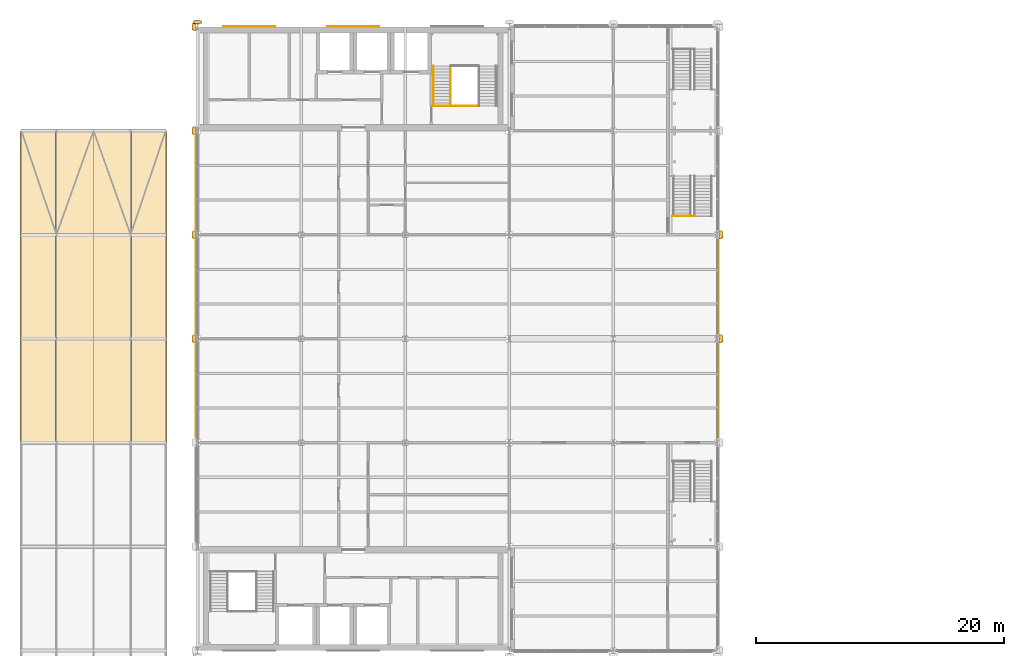
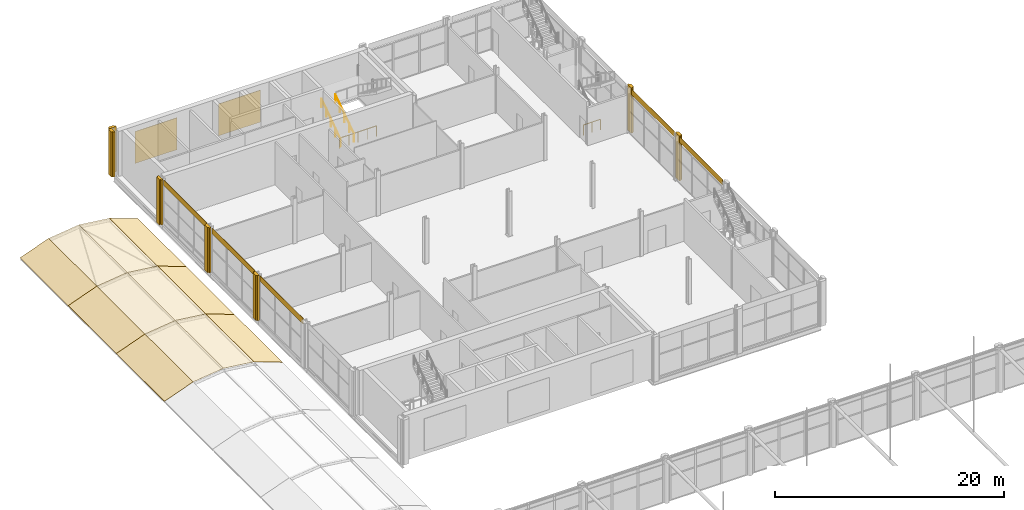
# One storey, part 166 of 167: 26 coverings, 4 railings.
"""IFC4 building model written with IfcOpenShell, lengths in metres."""

from ifc_helpers import new_model, si_unit, direction, frame, origin, origin_2d, place, context, subcontext, project, spatial, polyline, rectangle, circle, outline, extrude, material, layer, layer_set, type_object, element, save


model = new_model("IFC4")

# Units and contexts
model_context = context("Model", 3, precision=1e-05, world=origin(), true_north=direction((0.0, 1.0)))
body_context = subcontext(model_context, "Body", "Model", "MODEL_VIEW")
ifc_project = project(units=[si_unit("LENGTHUNIT", "METRE"), si_unit("AREAUNIT", "SQUARE_METRE"), si_unit("VOLUMEUNIT", "CUBIC_METRE"), si_unit("PLANEANGLEUNIT", "RADIAN"), si_unit("MASSUNIT", "GRAM", prefix="KILO")], contexts=[model_context])

# Site, building, storey
site_placement = place(None, origin())
site = spatial("IfcSite", under=ifc_project, at=site_placement, CompositionType="ELEMENT")
building_placement = place(site_placement, origin())
building = spatial("IfcBuilding", under=site, at=building_placement, Name="Catenary Quay Ferry Terminal", CompositionType="ELEMENT")
storey_placement = place(building_placement, frame((0.0, 0.0, 6.0)))
storey = spatial("IfcBuildingStorey", under=building, at=storey_placement, Name="L01", CompositionType="ELEMENT", Elevation=6.0)

# Coverings
ifc_material_1 = material(Name="Ceramic tile")
ifc_layer_1 = layer(ifc_material_1, 0.0400390625)
ifc_layer_set_1 = layer_set([ifc_layer_1], Name="CL2")
covering_type_1 = type_object("IfcCoveringType", Name="CL2", PredefinedType="CLADDING", material=ifc_layer_set_1)
covering_1_placement = place(storey_placement, origin())
element("IfcCovering", 1, at=covering_1_placement, inside=storey, type_object=covering_type_1, Name="Ceramic pier casing", PredefinedType="CLADDING", context=body_context, shape_type="SweptSolid", body=[
    extrude(outline(polyline([(25.050048828125, 201.949951171875), (24.8701171875, 201.949951171875), (24.8701171875, 201.85009765625), (24.75, 201.85009765625), (24.75, 201.35009765625), (24.8701171875, 201.35009765625), (24.8701171875, 201.25), (25.050048828125, 201.25), (25.050048828125, 201.949951171875)])), origin(), (0.0, 0.0, 1.0), 4.800048828125),
])
covering_2_placement = place(storey_placement, origin())
element("IfcCovering", 2, at=covering_2_placement, inside=storey, type_object=covering_type_1, Name="Ceramic pier casing", PredefinedType="CLADDING", context=body_context, shape_type="SweptSolid", body=[
    extrude(outline(polyline([(25.050048828125, 210.35009765625), (24.8701171875, 210.35009765625), (24.8701171875, 210.25), (24.75, 210.25), (24.75, 209.75), (24.8701171875, 209.75), (24.8701171875, 209.64990234375), (25.050048828125, 209.64990234375), (25.050048828125, 210.35009765625)])), origin(), (0.0, 0.0, 1.0), 4.800048828125),
])
covering_3_placement = place(storey_placement, origin())
element("IfcCovering", 3, at=covering_3_placement, inside=storey, type_object=covering_type_1, Name="Ceramic pier casing", PredefinedType="CLADDING", context=body_context, shape_type="SweptSolid", body=[
    extrude(outline(polyline([(25.550048828125, 210.25), (25.550048828125, 210.429931640625), (25.449951171875, 210.429931640625), (25.449951171875, 210.550048828125), (24.949951171875, 210.550048828125), (24.949951171875, 210.429931640625), (24.85009765625, 210.429931640625), (24.85009765625, 210.25), (25.550048828125, 210.25)])), origin(), (0.0, 0.0, 1.0), 4.800048828125),
])
covering_4_placement = place(storey_placement, origin())
element("IfcCovering", 4, at=covering_4_placement, inside=storey, type_object=covering_type_1, Name="Ceramic pier casing", PredefinedType="CLADDING", context=body_context, shape_type="SweptSolid", body=[
    extrude(outline(polyline([(25.050048828125, 185.14990234375), (24.8701171875, 185.14990234375), (24.8701171875, 185.050048828125), (24.75, 185.050048828125), (24.75, 184.550048828125), (24.8701171875, 184.550048828125), (24.8701171875, 184.449951171875), (25.050048828125, 184.449951171875), (25.050048828125, 185.14990234375)])), origin(), (0.0, 0.0, 1.0), 4.800048828125),
])
covering_5_placement = place(storey_placement, origin())
element("IfcCovering", 5, at=covering_5_placement, inside=storey, type_object=covering_type_1, Name="Ceramic pier casing", PredefinedType="CLADDING", context=body_context, shape_type="SweptSolid", body=[
    extrude(outline(polyline([(25.050048828125, 193.550048828125), (24.8701171875, 193.550048828125), (24.8701171875, 193.449951171875), (24.75, 193.449951171875), (24.75, 192.949951171875), (24.8701171875, 192.949951171875), (24.8701171875, 192.85009765625), (25.050048828125, 192.85009765625), (25.050048828125, 193.550048828125)])), origin(), (0.0, 0.0, 1.0), 4.800048828125),
])
covering_6_placement = place(storey_placement, origin())
element("IfcCovering", 6, at=covering_6_placement, inside=storey, type_object=covering_type_1, Name="Ceramic pier casing", PredefinedType="CLADDING", context=body_context, shape_type="SweptSolid", body=[
    extrude(outline(polyline([(67.35009765625, 184.449951171875), (67.530029296875, 184.449951171875), (67.530029296875, 184.550048828125), (67.64990234375, 184.550048828125), (67.64990234375, 185.050048828125), (67.530029296875, 185.050048828125), (67.530029296875, 185.14990234375), (67.35009765625, 185.14990234375), (67.35009765625, 184.449951171875)])), origin(), (0.0, 0.0, 1.0), 4.800048828125),
])
covering_7_placement = place(storey_placement, origin())
element("IfcCovering", 7, at=covering_7_placement, inside=storey, type_object=covering_type_1, Name="Ceramic pier casing", PredefinedType="CLADDING", context=body_context, shape_type="SweptSolid", body=[
    extrude(outline(polyline([(67.35009765625, 192.85009765625), (67.530029296875, 192.85009765625), (67.530029296875, 192.949951171875), (67.64990234375, 192.949951171875), (67.64990234375, 193.449951171875), (67.530029296875, 193.449951171875), (67.530029296875, 193.550048828125), (67.35009765625, 193.550048828125), (67.35009765625, 192.85009765625)])), origin(), (0.0, 0.0, 1.0), 4.800048828125),
])
ifc_material_2 = material(Name="Ceramic tile")
ifc_layer_2 = layer(ifc_material_2, 0.034912109375)
ifc_layer_set_2 = layer_set([ifc_layer_2], Name="CL5")
covering_type_2 = type_object("IfcCoveringType", Name="CL5", PredefinedType="CLADDING", material=ifc_layer_set_2)
for number, where, z_axis, x_axis, name in (
    (8, (29.39990234375, 210.017578125, 0.400146484375), (0.0, 0.0, 1.0), (1.0, 0.0, 0.0), "Core h210.0 cladding CV312"),
    (9, (37.800048828125, 210.017578125, 0.400146484375), (0.0, 0.0, 1.0), (1.0, 0.0, 0.0), "Core h210.0 cladding CV313"),
):
    element("IfcCovering", number, at=place(storey_placement, frame(where, z_axis=z_axis, x_axis=x_axis)), inside=storey, type_object=covering_type_2, Name=name, PredefinedType="CLADDING", context=body_context, shape_type="SweptSolid", body=[
        extrude(rectangle(XDim=4.199951171875, YDim=0.034912109375, at=origin_2d()), origin(), (0.0, 0.0, 1.0), 3.39990234375),
    ])
ifc_material_3 = material(Name="Glazed ceramic tile, ochre")
ifc_layer_3 = layer(ifc_material_3, 0.030029296875)
ifc_layer_set_3 = layer_set([ifc_layer_3], Name="CL6")
covering_type_3 = type_object("IfcCoveringType", Name="CL6", PredefinedType="CLADDING", material=ifc_layer_set_3)
for number, where, z_axis, x_axis, name in (
    (10, (67.3193359375, 180.60009765625, 4.199951171875), (0.0, 0.0, 1.0), (1.0, 0.0, 0.0), "Band wing v67.2 cladding CV308"),
    (11, (67.3193359375, 189.0, 4.199951171875), (0.0, 0.0, 1.0), (1.0, 0.0, 0.0), "Band wing v67.2 cladding CV309"),
    (12, (25.08056640625, 180.60009765625, 4.199951171875), (0.0, 0.0, 1.0), (1.0, 0.0, 0.0), "Band wing v25.2 cladding CV318"),
    (13, (25.08056640625, 189.0, 4.199951171875), (0.0, 0.0, 1.0), (1.0, 0.0, 0.0), "Band wing v25.2 cladding CV319"),
    (14, (25.08056640625, 197.39990234375, 4.199951171875), (0.0, 0.0, 1.0), (1.0, 0.0, 0.0), "Band wing v25.2 cladding CV320"),
):
    element("IfcCovering", number, at=place(storey_placement, frame(where, z_axis=z_axis, x_axis=x_axis)), inside=storey, type_object=covering_type_3, Name=name, PredefinedType="CLADDING", context=body_context, shape_type="SweptSolid", body=[
        extrude(rectangle(XDim=0.030029296875, YDim=7.5, at=origin_2d()), origin(), (0.0, 0.0, 1.0), 0.60009765625),
    ])

# Railings
ifc_material_4 = material(Name="Steel and glass", Category="steel")
railing_type_1 = type_object("IfcRailingType", Name="GI1", PredefinedType="GUARDRAIL", material=ifc_material_4)
railing_1_placement = place(storey_placement, frame((44.199951171875, 203.60009765625, 0.0)))
element("IfcRailing", 15, at=railing_1_placement, inside=storey, type_object=railing_type_1, Name="HS1 well guard GI69", PredefinedType="GUARDRAIL", context=body_context, shape_type="SweptSolid", body=[
    extrude(circle(Radius=0.02392578125, at=origin_2d()), frame((0.0, 0.0, 1.076171875), z_axis=(1.0, 0.0, 0.0), x_axis=(0.0, 1.0, 0.0)), (0.0, 0.0, 1.0), 3.699951171875),
    extrude(circle(Radius=0.02099609375, at=origin_2d()), origin(), (0.0, 0.0, 1.0), 1.052001953125),
    extrude(circle(Radius=0.02099609375, at=origin_2d()), frame((0.925048828125, 0.0, 0.0)), (0.0, 0.0, 1.0), 1.052001953125),
    extrude(circle(Radius=0.02099609375, at=origin_2d()), frame((1.85009765625, 0.0, 0.0)), (0.0, 0.0, 1.0), 1.052001953125),
    extrude(circle(Radius=0.02099609375, at=origin_2d()), frame((2.77490234375, 0.0, 0.0)), (0.0, 0.0, 1.0), 1.052001953125),
    extrude(circle(Radius=0.02099609375, at=origin_2d()), frame((3.699951171875, 0.0, 0.0)), (0.0, 0.0, 1.0), 1.052001953125),
])
railing_2_placement = place(storey_placement, frame((63.60009765625, 194.699951171875, 0.0)))
element("IfcRailing", 16, at=railing_2_placement, inside=storey, type_object=railing_type_1, Name="HS4 well guard GI214", PredefinedType="GUARDRAIL", context=body_context, shape_type="SweptSolid", body=[
    extrude(circle(Radius=0.02392578125, at=origin_2d()), frame((0.0, 0.0, 1.076171875), z_axis=(1.0, 0.0, 0.0), x_axis=(0.0, 1.0, 0.0)), (0.0, 0.0, 1.0), 1.699951171875),
    extrude(circle(Radius=0.02099609375, at=origin_2d()), origin(), (0.0, 0.0, 1.0), 1.052001953125),
    extrude(circle(Radius=0.02099609375, at=origin_2d()), frame((0.85009765625, 0.0, 0.0)), (0.0, 0.0, 1.0), 1.052001953125),
    extrude(circle(Radius=0.02099609375, at=origin_2d()), frame((1.699951171875, 0.0, 0.0)), (0.0, 0.0, 1.0), 1.052001953125),
])
ifc_material_5 = material(Name="Stainless steel", Category="steel")
railing_type_2 = type_object("IfcRailingType", Name="HR1", PredefinedType="HANDRAIL", material=ifc_material_5)
for number, where, name in (
    (17, (44.260009765625, 203.60009765625, 0.17138671875), "HS1 F1A handrail HR79"),
    (18, (45.639892578125, 203.60009765625, 0.17138671875), "HS1 F1B handrail HR80"),
):
    element("IfcRailing", number, at=place(storey_placement, frame(where)), inside=storey, type_object=railing_type_2, Name=name, PredefinedType="HANDRAIL", context=body_context, shape_type="SweptSolid", body=[
        extrude(circle(Radius=0.02392578125, at=origin_2d()), frame((0.0, 0.0, 0.8759765625), z_axis=(0.0, 0.824735456578, 0.565518723531), x_axis=(-1.0, 0.0, 0.0)), (0.0, 0.0, 1.0), 3.940673828125),
        extrude(circle(Radius=0.02099609375, at=origin_2d()), origin(), (0.0, 0.0, 1.0), 0.851806640625),
        extrude(circle(Radius=0.02099609375, at=origin_2d()), frame((0.0, 0.8125, 0.55712890625)), (0.0, 0.0, 1.0), 0.851806640625),
        extrude(circle(Radius=0.02099609375, at=origin_2d()), frame((0.0, 1.625, 1.1142578125)), (0.0, 0.0, 1.0), 0.851806640625),
        extrude(circle(Radius=0.02099609375, at=origin_2d()), frame((0.0, 2.4375, 1.67138671875)), (0.0, 0.0, 1.0), 0.851806640625),
        extrude(circle(Radius=0.02099609375, at=origin_2d()), frame((0.0, 3.25, 2.228515625)), (0.0, 0.0, 1.0), 0.851806640625),
    ])

# Coverings
ifc_material_6 = material(Name="Laminated glass", Category="glass")
ifc_layer_4 = layer(ifc_material_6, 0.030029296875)
ifc_layer_set_4 = layer_set([ifc_layer_4], Name="RF2")
covering_type_4 = type_object("IfcCoveringType", Name="RF2", PredefinedType="ROOFING", material=ifc_layer_set_4)
covering_8_placement = place(storey_placement, frame((10.858154296875, 176.39990234375, 1.2158203125), z_axis=(-0.346768604163, 0.0, 0.937950710414), x_axis=(0.0, 1.0, 0.0)))
element("IfcCovering", 19, at=covering_8_placement, inside=storey, type_object=covering_type_4, Name="Forecourt canopy roof", PredefinedType="ROOFING", context=body_context, shape_type="SweptSolid", body=[
    extrude(outline(polyline([(0.0, 0.0), (8.400146484375, 0.0), (8.400146484375, -3.0745635463365493), (0.0, -3.0745635463365493), (0.0, 0.0)])), origin(), (0.0, 0.0, -1.0), 0.031982421875),
])
covering_9_placement = place(storey_placement, frame((13.741943359375, 176.39990234375, 2.281982421875), z_axis=(-0.122181619395, 0.0, 0.992507759104), x_axis=(0.0, 1.0, 0.0)))
element("IfcCovering", 20, at=covering_9_placement, inside=storey, type_object=covering_type_4, Name="Forecourt canopy roof", PredefinedType="ROOFING", context=body_context, shape_type="SweptSolid", body=[
    extrude(outline(polyline([(0.0, 0.0), (8.400146484375, 0.0), (8.400146484375, -3.0811904901479834), (0.0, -3.0811904901479834), (0.0, 0.0)])), origin(), (0.0, 0.0, -1.0), 0.0302734375),
])
covering_10_placement = place(storey_placement, frame((16.800048828125, 176.39990234375, 2.658447265625), z_axis=(0.122191228771, 0.0, 0.992506576105), x_axis=(0.0, 1.0, 0.0)))
element("IfcCovering", 21, at=covering_10_placement, inside=storey, type_object=covering_type_4, Name="Forecourt canopy roof", PredefinedType="ROOFING", context=body_context, shape_type="SweptSolid", body=[
    extrude(outline(polyline([(0.0, 0.0), (8.400146484375, 0.0), (8.400146484375, -3.0809481788277613), (0.0, -3.0809481788277613), (0.0, 0.0)])), origin(), (0.0, 0.0, -1.0), 0.0302734375),
])
covering_11_placement = place(storey_placement, frame((19.85791015625, 176.39990234375, 2.281982421875), z_axis=(0.346768604163, 0.0, 0.937950710414), x_axis=(0.0, 1.0, 0.0)))
element("IfcCovering", 22, at=covering_11_placement, inside=storey, type_object=covering_type_4, Name="Forecourt canopy roof", PredefinedType="ROOFING", context=body_context, shape_type="SweptSolid", body=[
    extrude(outline(polyline([(0.0, 0.0), (8.400146484375, 0.0), (8.400146484375, -3.0745635463365493), (0.0, -3.0745635463365493), (0.0, 0.0)])), origin(), (0.0, 0.0, -1.0), 0.031982421875),
])
covering_12_placement = place(storey_placement, frame((10.858154296875, 184.800048828125, 1.2158203125), z_axis=(-0.346768604163, 0.0, 0.937950710414), x_axis=(0.0, 1.0, 0.0)))
element("IfcCovering", 23, at=covering_12_placement, inside=storey, type_object=covering_type_4, Name="Forecourt canopy roof", PredefinedType="ROOFING", context=body_context, shape_type="SweptSolid", body=[
    extrude(outline(polyline([(0.0, 0.0), (8.39990234375, 0.0), (8.39990234375, -3.0745635463365493), (0.0, -3.0745635463365493), (0.0, 0.0)])), origin(), (0.0, 0.0, -1.0), 0.031982421875),
])
covering_13_placement = place(storey_placement, frame((13.741943359375, 184.800048828125, 2.281982421875), z_axis=(-0.122181619395, 0.0, 0.992507759104), x_axis=(0.0, 1.0, 0.0)))
element("IfcCovering", 24, at=covering_13_placement, inside=storey, type_object=covering_type_4, Name="Forecourt canopy roof", PredefinedType="ROOFING", context=body_context, shape_type="SweptSolid", body=[
    extrude(outline(polyline([(0.0, 0.0), (8.39990234375, 0.0), (8.39990234375, -3.0811904901479834), (0.0, -3.0811904901479834), (0.0, 0.0)])), origin(), (0.0, 0.0, -1.0), 0.0302734375),
])
covering_14_placement = place(storey_placement, frame((16.800048828125, 184.800048828125, 2.658447265625), z_axis=(0.122191228771, 0.0, 0.992506576105), x_axis=(0.0, 1.0, 0.0)))
element("IfcCovering", 25, at=covering_14_placement, inside=storey, type_object=covering_type_4, Name="Forecourt canopy roof", PredefinedType="ROOFING", context=body_context, shape_type="SweptSolid", body=[
    extrude(outline(polyline([(0.0, 0.0), (8.39990234375, 0.0), (8.39990234375, -3.080948178827762), (0.0, -3.080948178827762), (0.0, 0.0)])), origin(), (0.0, 0.0, -1.0), 0.0302734375),
])
covering_15_placement = place(storey_placement, frame((19.85791015625, 184.800048828125, 2.281982421875), z_axis=(0.346768604163, 0.0, 0.937950710414), x_axis=(0.0, 1.0, 0.0)))
element("IfcCovering", 26, at=covering_15_placement, inside=storey, type_object=covering_type_4, Name="Forecourt canopy roof", PredefinedType="ROOFING", context=body_context, shape_type="SweptSolid", body=[
    extrude(outline(polyline([(0.0, 0.0), (8.39990234375, 0.0), (8.39990234375, -3.0745635463365493), (0.0, -3.0745635463365493), (0.0, 0.0)])), origin(), (0.0, 0.0, -1.0), 0.031982421875),
])
covering_16_placement = place(storey_placement, frame((10.858154296875, 193.199951171875, 1.2158203125), z_axis=(-0.346768604163, 0.0, 0.937950710414), x_axis=(0.0, 1.0, 0.0)))
element("IfcCovering", 27, at=covering_16_placement, inside=storey, type_object=covering_type_4, Name="Forecourt canopy roof", PredefinedType="ROOFING", context=body_context, shape_type="SweptSolid", body=[
    extrude(outline(polyline([(0.0, 0.0), (8.400146484375, 0.0), (8.400146484375, -3.0745635463365493), (0.0, -3.0745635463365493), (0.0, 0.0)])), origin(), (0.0, 0.0, -1.0), 0.031982421875),
])
covering_17_placement = place(storey_placement, frame((13.741943359375, 193.199951171875, 2.281982421875), z_axis=(-0.122181619395, 0.0, 0.992507759104), x_axis=(0.0, 1.0, 0.0)))
element("IfcCovering", 28, at=covering_17_placement, inside=storey, type_object=covering_type_4, Name="Forecourt canopy roof", PredefinedType="ROOFING", context=body_context, shape_type="SweptSolid", body=[
    extrude(outline(polyline([(0.0, 0.0), (8.400146484375, 0.0), (8.400146484375, -3.0811904901479834), (0.0, -3.0811904901479834), (0.0, 0.0)])), origin(), (0.0, 0.0, -1.0), 0.0302734375),
])
covering_18_placement = place(storey_placement, frame((16.800048828125, 193.199951171875, 2.658447265625), z_axis=(0.122191228771, 0.0, 0.992506576105), x_axis=(0.0, 1.0, 0.0)))
element("IfcCovering", 29, at=covering_18_placement, inside=storey, type_object=covering_type_4, Name="Forecourt canopy roof", PredefinedType="ROOFING", context=body_context, shape_type="SweptSolid", body=[
    extrude(outline(polyline([(0.0, 0.0), (8.400146484375, 0.0), (8.400146484375, -3.0809481788277613), (0.0, -3.0809481788277613), (0.0, 0.0)])), origin(), (0.0, 0.0, -1.0), 0.0302734375),
])
covering_19_placement = place(storey_placement, frame((19.85791015625, 193.199951171875, 2.281982421875), z_axis=(0.346768604163, 0.0, 0.937950710414), x_axis=(0.0, 1.0, 0.0)))
element("IfcCovering", 30, at=covering_19_placement, inside=storey, type_object=covering_type_4, Name="Forecourt canopy roof", PredefinedType="ROOFING", context=body_context, shape_type="SweptSolid", body=[
    extrude(outline(polyline([(0.0, 0.0), (8.400146484375, 0.0), (8.400146484375, -3.0745635463365493), (0.0, -3.0745635463365493), (0.0, 0.0)])), origin(), (0.0, 0.0, -1.0), 0.031982421875),
])

save(model, "model.ifc")
